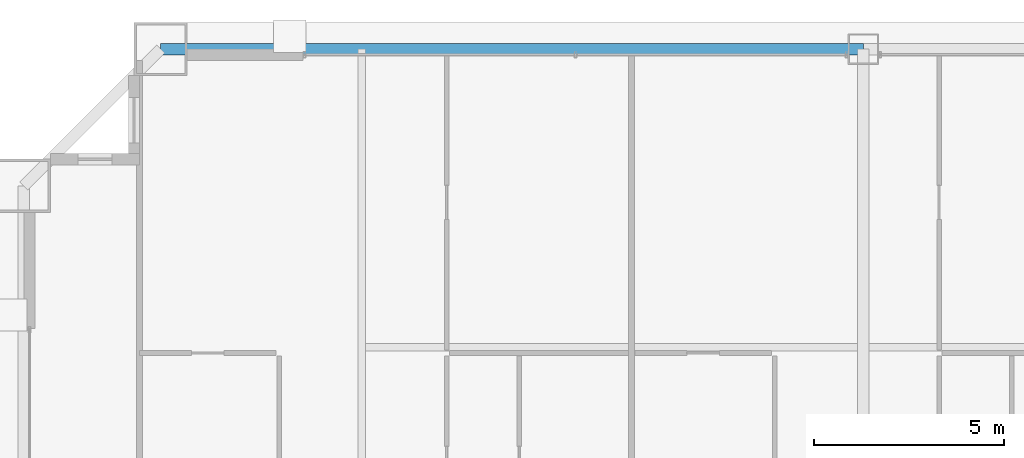
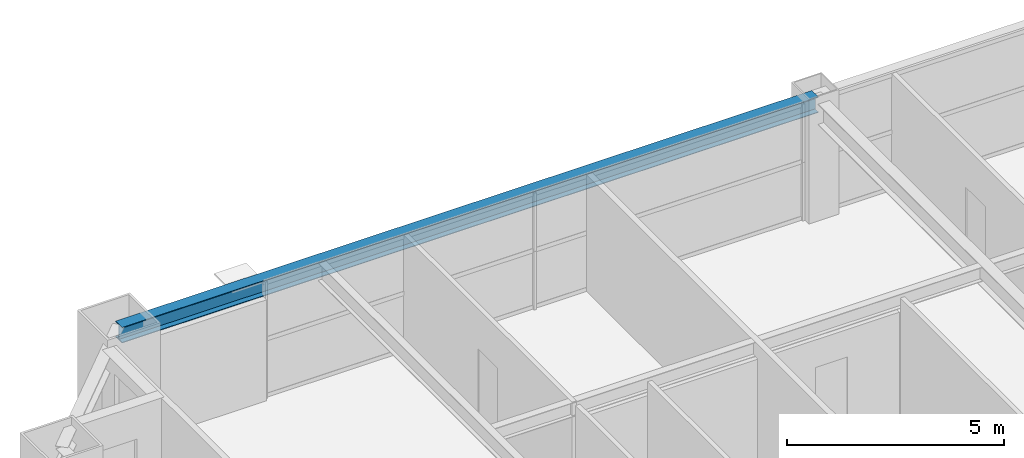
# One storey, part 26 of 38: 1 beam.
"""IFC4 building model written with IfcOpenShell, lengths in metres."""

from ifc_helpers import new_model, si_unit, direction, frame, origin, origin_2d, place, context, subcontext, project, spatial, i_section, extrude, source, transform, mapped, material, material_profile, profile_set, type_object, element, save


model = new_model("IFC4")

# Units and contexts
model_context = context("Model", 3, precision=1e-05, world=origin(), true_north=direction((0.0, 1.0)))
body_context = subcontext(model_context, "Body", "Model", "MODEL_VIEW")
ifc_project = project(units=[si_unit("LENGTHUNIT", "METRE"), si_unit("AREAUNIT", "SQUARE_METRE"), si_unit("VOLUMEUNIT", "CUBIC_METRE"), si_unit("PLANEANGLEUNIT", "RADIAN"), si_unit("MASSUNIT", "GRAM", prefix="KILO"), si_unit("THERMODYNAMICTEMPERATUREUNIT", "KELVIN"), si_unit("POWERUNIT", "WATT")], contexts=[model_context])

# Site, building, storey
site_placement = place(None, origin())
site = spatial("IfcSite", under=ifc_project, at=site_placement, CompositionType="ELEMENT")
building_placement = place(site_placement, origin())
building = spatial("IfcBuilding", under=site, at=building_placement, Name="Yuzanri Waterfront Tower", CompositionType="ELEMENT")
storey_placement = place(building_placement, frame((0.0, 0.0, 209.0)))
storey = spatial("IfcBuildingStorey", under=building, at=storey_placement, Name="L55", CompositionType="ELEMENT", Elevation=209.0)

# Beam
ifc_material = material(Name="Steel Q355B", Category="steel")
ifc_material_profile = material_profile(ifc_material, i_section(OverallWidth=0.300048828125, OverallDepth=0.43994140625, WebThickness=0.010986328125, FlangeThickness=0.01806640625, at=origin_2d()), Name="HM 440x300x11x18")
ifc_profile_set = profile_set([ifc_material_profile], Name="Steel Q355B")
beam_type = type_object("IfcBeamType", Name="Perimeter Spandrel Q355B HM 440x300", PredefinedType="SPANDREL", material=ifc_profile_set)
shared_shape = source(origin(), body_context, "Body", "SweptSolid", [
    extrude(i_section(OverallWidth=0.300048828125, OverallDepth=0.43994140625, WebThickness=0.010986328125, FlangeThickness=0.01806640625, at=origin_2d()), origin(), (0.0, 0.0, 1.0), 18.5),
])
beam_placement = place(storey_placement, frame((37.0, 47.89990234375, 3.06005859375), z_axis=(-1.0, 0.0, 0.0), x_axis=(0.0, -1.0, 0.0)))
element("IfcBeam", 1, at=beam_placement, inside=storey, type_object=beam_type, Name="L55 Perimeter Spandrel N2-N1", PredefinedType="SPANDREL", context=body_context, shape_type="MappedRepresentation", body=[
    mapped(shared_shape, transform((0.0, 0.0, 0.0), scale=1.0)),
])

save(model, "model.ifc")
